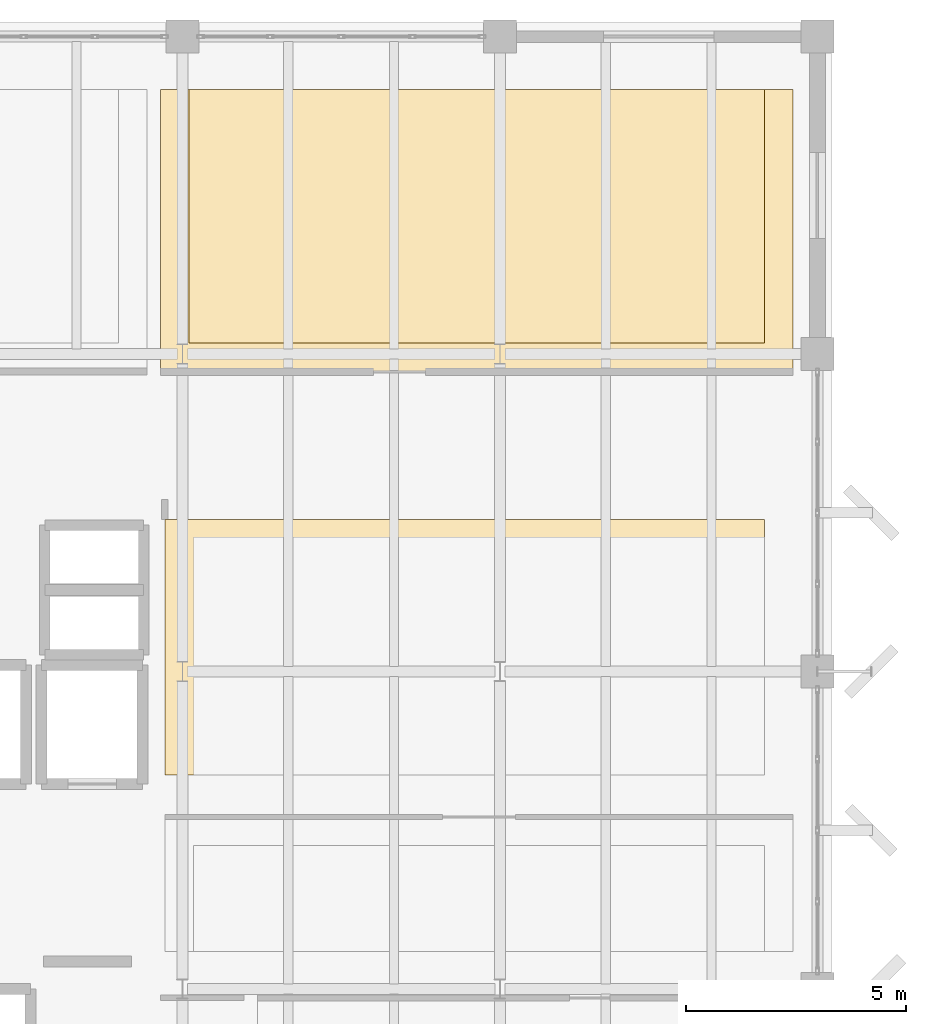
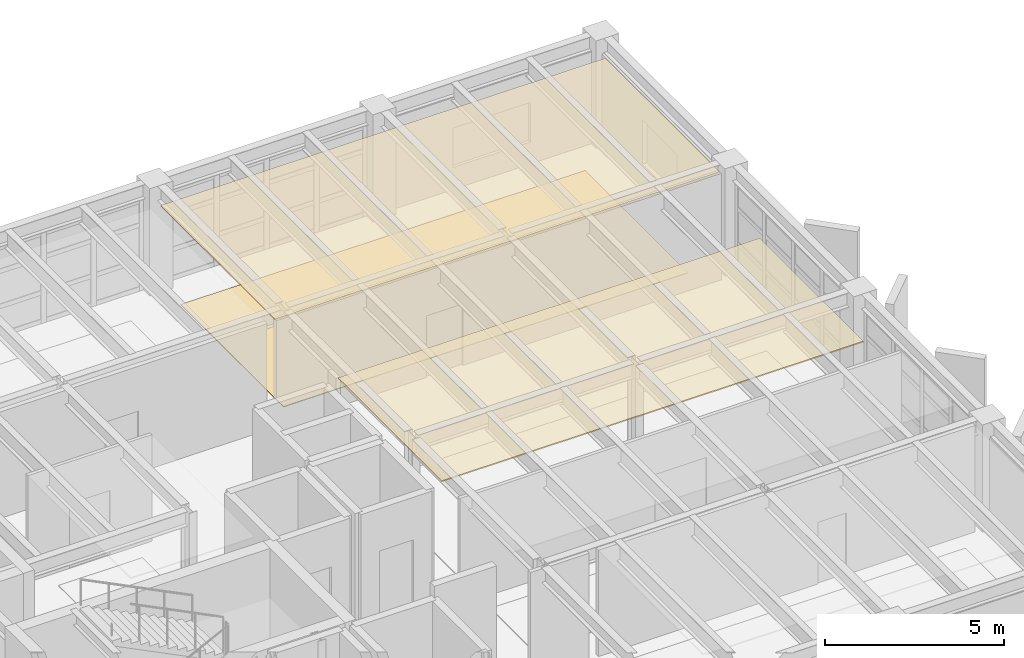
# One storey, part 24 of 24: 3 coverings.
"""IFC4 building model written with IfcOpenShell, lengths in metres."""

from ifc_helpers import new_model, si_unit, direction, frame, origin, place, context, subcontext, project, spatial, polyline, outline, extrude, material, layer, layer_set, type_object, element, save


model = new_model("IFC4")

# Units and contexts
model_context = context("Model", 3, precision=1e-05, world=origin(), true_north=direction((0.0, 1.0)))
body_context = subcontext(model_context, "Body", "Model", "MODEL_VIEW")
ifc_project = project(units=[si_unit("LENGTHUNIT", "METRE"), si_unit("AREAUNIT", "SQUARE_METRE"), si_unit("VOLUMEUNIT", "CUBIC_METRE"), si_unit("PLANEANGLEUNIT", "RADIAN"), si_unit("MASSUNIT", "GRAM", prefix="KILO")], contexts=[model_context])

# Site, building, storey
site_placement = place(None, origin())
site = spatial("IfcSite", under=ifc_project, at=site_placement, CompositionType="ELEMENT")
building_placement = place(site_placement, origin())
building = spatial("IfcBuilding", under=site, at=building_placement, Name="Kandorven Conservatory and Botanical Research Centre", CompositionType="ELEMENT")
storey_placement = place(building_placement, frame((0.0, 0.0, 24.89990234375)))
storey = spatial("IfcBuildingStorey", under=building, at=storey_placement, Name="L06", CompositionType="ELEMENT", Elevation=24.89990234375)

# Coverings
ifc_material_1 = material(Name="Perforated mineral-fibre acoustic ceiling tile", Category="gypsum")
ifc_layer_1 = layer(ifc_material_1, 0.0400390625)
ifc_layer_set_1 = layer_set([ifc_layer_1], Name="Perforated mineral-fibre acoustic ceiling tile")
covering_type_1 = type_object("IfcCoveringType", Name="Cov_Ceiling_1", PredefinedType="CEILING", material=ifc_layer_set_1)
covering_1_placement = place(storey_placement, frame((0.0, 0.0, 3.590087890625)))
element("IfcCovering", 1, at=covering_1_placement, inside=storey, type_object=covering_type_1, Name="Suspended acoustic ceiling CLG-01 (Botanical Curation Studio L06)", PredefinedType="CEILING", context=body_context, shape_type="SweptSolid", body=[
    extrude(outline(polyline([(27.199951171875, 18.050048828125), (40.800048828125, 18.050048828125), (40.800048828125, 23.85009765625), (27.199951171875, 23.85009765625), (27.199951171875, 18.050048828125)])), origin(), (0.0, 0.0, 1.0), 0.0400390625),
])
covering_2_placement = place(storey_placement, frame((0.0, 0.0, 3.590087890625)))
element("IfcCovering", 2, at=covering_2_placement, inside=storey, type_object=covering_type_1, Name="Suspended acoustic ceiling CLG-01 (Departmental Research Seminar Room L06)", PredefinedType="CEILING", context=body_context, shape_type="SweptSolid", body=[
    extrude(outline(polyline([(27.10009765625, 27.199951171875), (41.449951171875, 27.199951171875), (41.449951171875, 33.60009765625), (27.10009765625, 33.60009765625), (27.10009765625, 27.199951171875)])), origin(), (0.0, 0.0, 1.0), 0.0400390625),
])
ifc_material_2 = material(Name="Honed Kota stone and epoxy laboratory flooring", Category="masonry")
ifc_layer_2 = layer(ifc_material_2, 0.02490234375)
ifc_layer_set_2 = layer_set([ifc_layer_2], Name="Honed Kota stone and epoxy laboratory flooring")
covering_type_2 = type_object("IfcCoveringType", Name="Cov_Flooring_1", PredefinedType="FLOORING", material=ifc_layer_set_2)
covering_3_placement = place(storey_placement, origin())
element("IfcCovering", 3, at=covering_3_placement, inside=storey, type_object=covering_type_2, Name="Floor finish FLR-01 (Departmental Research Seminar Room L06)", PredefinedType="FLOORING", context=body_context, shape_type="SweptSolid", body=[
    extrude(outline(polyline([(27.75, 27.85009765625), (40.800048828125, 27.85009765625), (40.800048828125, 33.60009765625), (27.75, 33.60009765625), (27.75, 27.85009765625)])), origin(), (0.0, 0.0, 1.0), 0.025146484375),
])

save(model, "model.ifc")
